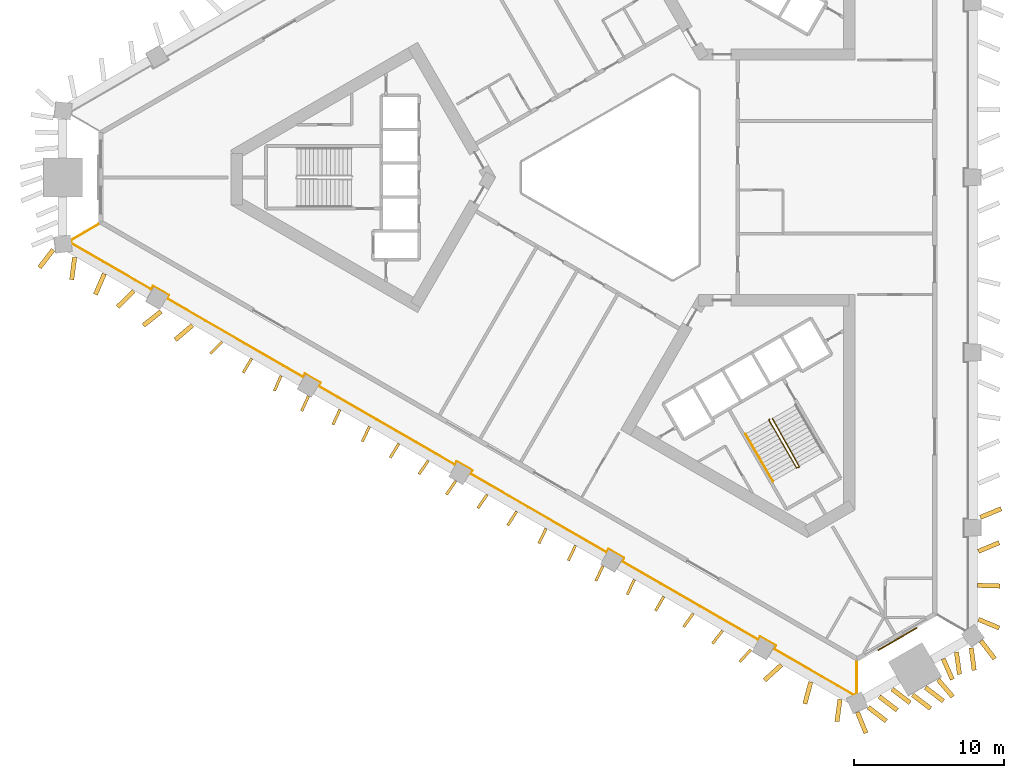
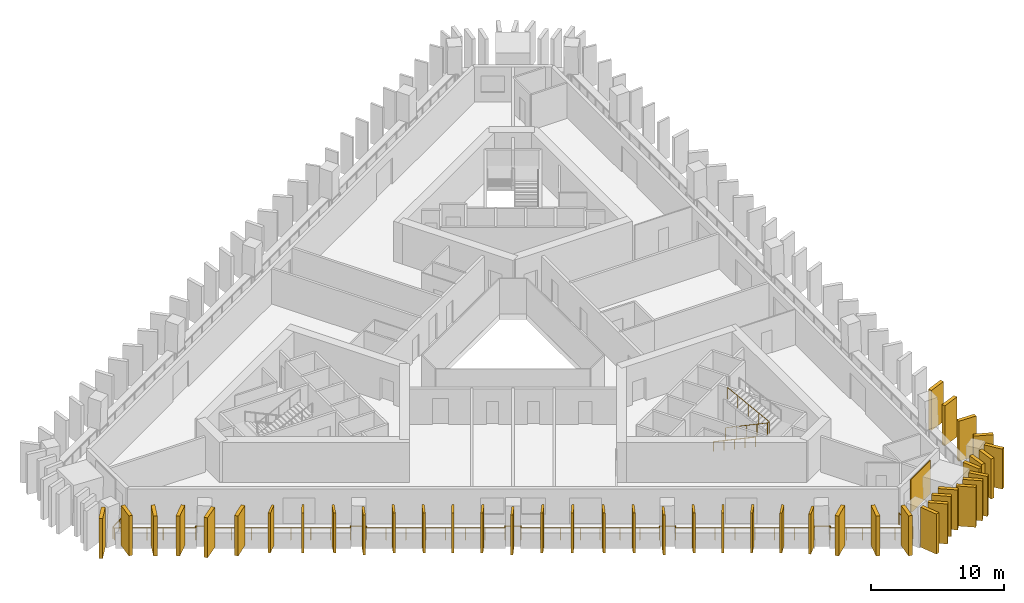
# One storey, part 7 of 9: 43 shading devices, 3 railings, 1 covering.
"""IFC4 building model written with IfcOpenShell, lengths in metres."""

import ifcopenshell
import ifcopenshell.guid

model = None  # the IFC model being written
_history = None  # IfcOwnerHistory: only IFC2X3 demands one
_inside = {}  # id of a spatial element -> (the spatial element, [elements in it])
_under = {}  # id of a project, library or spatial element -> (it, [spatial elements below it])
_declared = {}  # id of a project -> (the project, [libraries it declares])
_typed = {}  # id of a type object -> (the type object, [elements of that type])
_made_of = {}  # id of a material, layer set ... -> (it, [elements and type objects made of it])


def new_model(schema):
    """Start an empty IFC model of exactly this schema.

    Asked for "IFC4X3", IfcOpenShell would pick the latest addendum, in which some entities
    have other attributes; the version numbers below select the first issue.
    IFC2X3 requires an IfcOwnerHistory on every rooted entity: one is made here for all.
    """
    global model, _history
    if schema == "IFC4X3":
        model = ifcopenshell.file(schema_version=(4, 3, 0, 0))
    else:
        model = ifcopenshell.file(schema=schema)
    _inside.clear()
    _under.clear()
    _declared.clear()
    _typed.clear()
    _made_of.clear()
    _history = None
    if model.schema == "IFC2X3":
        org = make("IfcOrganization", Name="unknown")
        user = make(
            "IfcPersonAndOrganization",
            ThePerson=make("IfcPerson", FamilyName="unknown"),
            TheOrganization=org,
        )
        app = make(
            "IfcApplication",
            ApplicationDeveloper=org,
            Version="unknown",
            ApplicationFullName="unknown",
            ApplicationIdentifier="unknown",
        )
        _history = make(
            "IfcOwnerHistory",
            OwningUser=user,
            OwningApplication=app,
            ChangeAction="ADDED",
            CreationDate=0,
        )
    return model


def make(cls, **values):
    """One entity of the class cls with the attributes given. An attribute that is None is left unset."""
    return model.create_entity(
        cls, **{name: value for name, value in values.items() if value is not None}
    )


def rooted(cls, **values):
    """An entity with a GlobalId (a new one), such as an element, a storey or a relation."""
    return make(cls, GlobalId=ifcopenshell.guid.new(), OwnerHistory=_history, **values)


def si_unit(unit_type, name, prefix=None):
    """IfcSIUnit, for example si_unit("LENGTHUNIT", "METRE", prefix="MILLI")."""
    return make("IfcSIUnit", UnitType=unit_type, Prefix=prefix, Name=name)


def assignment(units):
    """IfcUnitAssignment: the units of a project."""
    return None if units is None else make("IfcUnitAssignment", Units=units)


def point(xyz):
    """IfcCartesianPoint."""
    return None if xyz is None else make("IfcCartesianPoint", Coordinates=xyz)


def direction(xyz):
    """IfcDirection."""
    return None if xyz is None else make("IfcDirection", DirectionRatios=xyz)


def frame(location, z_axis=None, x_axis=None):
    """IfcAxis2Placement3D, a coordinate frame: its origin and axes. An axis left out is left unset."""
    return make(
        "IfcAxis2Placement3D",
        Location=point(location),
        Axis=direction(z_axis),
        RefDirection=direction(x_axis),
    )


def frame_2d(location, x_axis=None):
    """IfcAxis2Placement2D, a coordinate frame in the plane: its origin and x axis."""
    return make(
        "IfcAxis2Placement2D", Location=point(location), RefDirection=direction(x_axis)
    )


def origin():
    """The frame at (0, 0, 0) with its axes left unset."""
    return frame((0.0, 0.0, 0.0))


def origin_2d():
    """The frame at (0, 0) in the plane with its x axis left unset."""
    return frame_2d((0.0, 0.0))


def place(relative_to, where):
    """IfcLocalPlacement: puts the frame where relative to a parent placement (None: the world)."""
    return make(
        "IfcLocalPlacement", PlacementRelTo=relative_to, RelativePlacement=where
    )


def context(
    kind, dimensions, precision=None, world=None, true_north=None, identifier=None
):
    """IfcGeometricRepresentationContext, for example the 3D "Model" context."""
    return make(
        "IfcGeometricRepresentationContext",
        ContextIdentifier=identifier,
        ContextType=kind,
        CoordinateSpaceDimension=dimensions,
        Precision=precision,
        WorldCoordinateSystem=world,
        TrueNorth=true_north,
    )


def subcontext(parent, identifier, kind, view, scale=None):
    """IfcGeometricRepresentationSubContext, for example "Body" below "Model"."""
    return make(
        "IfcGeometricRepresentationSubContext",
        ContextIdentifier=identifier,
        ContextType=kind,
        ParentContext=parent,
        TargetScale=scale,
        TargetView=view,
    )


def project(units=None, contexts=None):
    """IfcProject with its units and contexts."""
    return rooted(
        "IfcProject",
        Name="project",
        RepresentationContexts=contexts,
        UnitsInContext=assignment(units),
    )


def spatial(cls, under=None, at=None, **own):
    """A site, building, storey or space (cls), placed at a placement, below another one or the project."""
    s = rooted(cls, ObjectPlacement=at, **own)
    if under is not None:
        _under.setdefault(under.id(), (under, []))[1].append(s)
    return s


def profile(cls, at=None, kind="AREA", **sizes):
    """A parametric profile (cls). Its sizes go by their IFC names, for example OverallWidth=200.0."""
    return make(cls, ProfileType=kind, Position=at, **sizes)


def rectangle(**sizes):
    """IfcRectangleProfileDef."""
    return profile("IfcRectangleProfileDef", **sizes)


def circle(**sizes):
    """IfcCircleProfileDef."""
    return profile("IfcCircleProfileDef", **sizes)


def extrude(swept, where, along, depth):
    """IfcExtrudedAreaSolid: the profile swept, set in the frame where, extruded along a direction by depth."""
    return make(
        "IfcExtrudedAreaSolid",
        SweptArea=swept,
        Position=where,
        ExtrudedDirection=direction(along),
        Depth=depth,
    )


def shape(context_of_items, identifier, shape_type, items):
    """IfcShapeRepresentation: the items that make up one representation, for example the "Body"."""
    return make(
        "IfcShapeRepresentation",
        ContextOfItems=context_of_items,
        RepresentationIdentifier=identifier,
        RepresentationType=shape_type,
        Items=items,
    )


def material(Name=None, Category=None):
    """IfcMaterial."""
    return make("IfcMaterial", Name=Name, Category=Category)


def layer(
    of_material, thickness, ventilated=None, Name=None, Category=None, Priority=None
):
    """IfcMaterialLayer: one layer of a wall or slab, of a material (None: an air gap)."""
    return make(
        "IfcMaterialLayer",
        Material=of_material,
        LayerThickness=thickness,
        IsVentilated=ventilated,
        Name=Name,
        Category=Category,
        Priority=Priority,
    )


def layer_set(layers, Name=None):
    """IfcMaterialLayerSet."""
    return make("IfcMaterialLayerSet", MaterialLayers=layers, LayerSetName=Name)


def made_of(thing, what):
    """Note that an element or type object is made of a material, layer set ...; save() writes the relation."""
    if what is not None:
        _made_of.setdefault(what.id(), (what, []))[1].append(thing)
    return thing


def type_object(cls, material=None, **own):
    """A type object (cls), such as IfcWallType, which elements share."""
    return made_of(rooted(cls, **own), material)


def element(
    cls,
    number,
    at=None,
    inside=None,
    cuts=None,
    type_object=None,
    material=None,
    context=None,
    identifier="Body",
    shape_type=None,
    held_by="IfcProductDefinitionShape",
    body=None,
    shapes=None,
    **own,
):
    """One element of the class cls, such as IfcWall. Its Tag is "e" and its number.

    at: its placement. inside: the storey or other place that contains it. cuts: it is an
    opening in that element (IfcRelVoidsElement). A single representation is given by context,
    identifier, shape_type and body (its items); several are given by shapes. held_by: the class
    of the entity that holds the representations. save() writes the other relations.
    """
    e = rooted(cls, Tag="e%d" % number, ObjectPlacement=at, **own)
    if body is not None:
        shapes = [shape(context, identifier, shape_type, body)]
    if shapes is not None:
        e.Representation = make(held_by, Representations=shapes)
    if inside is not None:
        _inside.setdefault(inside.id(), (inside, []))[1].append(e)
    if cuts is not None:
        rooted(
            "IfcRelVoidsElement", RelatingBuildingElement=cuts, RelatedOpeningElement=e
        )
    if type_object is not None:
        _typed.setdefault(type_object.id(), (type_object, []))[1].append(e)
    return made_of(e, material)


def aggregate(whole, parts):
    """IfcRelAggregates: a whole, such as a stair, and the parts it consists of."""
    return rooted("IfcRelAggregates", RelatingObject=whole, RelatedObjects=parts)


def save(model, path):
    """Write the relations noted so far, then the file.

    IfcRelAggregates (storeys below a building ...), IfcRelContainedInSpatialStructure (elements
    in a storey), IfcRelDefinesByType, IfcRelAssociatesMaterial and IfcRelDeclares: one each for
    every whole, place, type object, material and project.
    """
    for whole, parts in _under.values():
        aggregate(whole, parts)
    for where, things in _inside.values():
        rooted(
            "IfcRelContainedInSpatialStructure",
            RelatedElements=things,
            RelatingStructure=where,
        )
    for kind, things in _typed.values():
        rooted("IfcRelDefinesByType", RelatedObjects=things, RelatingType=kind)
    for what, things in _made_of.values():
        rooted("IfcRelAssociatesMaterial", RelatedObjects=things, RelatingMaterial=what)
    for by, libraries in _declared.values():
        rooted("IfcRelDeclares", RelatingContext=by, RelatedDefinitions=libraries)
    model.write(path)


model = new_model("IFC4")

# Units and contexts
model_context = context("Model", 3, precision=1e-05, world=origin(), true_north=direction((0.0, 1.0)))
body_context = subcontext(model_context, "Body", "Model", "MODEL_VIEW")
ifc_project = project(units=[si_unit("LENGTHUNIT", "METRE"), si_unit("AREAUNIT", "SQUARE_METRE"), si_unit("VOLUMEUNIT", "CUBIC_METRE"), si_unit("PLANEANGLEUNIT", "RADIAN"), si_unit("MASSUNIT", "GRAM", prefix="KILO")], contexts=[model_context])

# Site, building, storey
site_placement = place(None, origin())
site = spatial("IfcSite", under=ifc_project, at=site_placement, CompositionType="ELEMENT")
building_placement = place(site_placement, origin())
building = spatial("IfcBuilding", under=site, at=building_placement, Name="Jabali Bay Hotel Tower and Convention Centre", CompositionType="ELEMENT")
storey_placement = place(building_placement, frame((0.0, 0.0, 94.300048828125)))
storey = spatial("IfcBuildingStorey", under=building, at=storey_placement, Name="L22", CompositionType="ELEMENT", Elevation=94.300048828125)

# Railing
ifc_material_1 = material(Name="Glass", Category="glass")
railing_type_1 = type_object("IfcRailingType", Name="Loggia glass guard 1100", PredefinedType="BALUSTRADE", material=ifc_material_1)
railing_1_placement = place(storey_placement, frame((90.00390625, 47.779541015625, 0.0)))
element("IfcRailing", 1, at=railing_1_placement, inside=storey, type_object=railing_type_1, Name="Loggia glass guard L22", PredefinedType="BALUSTRADE", context=body_context, shape_type="SweptSolid", body=[
    extrude(circle(Radius=0.02490234375, at=origin_2d()), frame((0.0, 0.0, 1.0751953125), z_axis=(0.0, -1.0, 0.0), x_axis=(0.991444861374, 0.0, 0.13052619222)), (0.0, 0.0, 1.0), 2.11083984375),
    extrude(circle(Radius=0.02490234375, at=origin_2d()), frame((0.0, -2.11083984375, 1.0751953125), z_axis=(-0.918673318712, -0.395018143238, 0.0), x_axis=(0.391638708263, -0.910813941118, 0.13052619222)), (0.0, 0.0, 1.0), 0.21435546875),
    extrude(circle(Radius=0.02490234375, at=origin_2d()), frame((-0.197021484375, -2.195556640625, 1.0751953125), z_axis=(-0.86604082541, 0.49997328801, 0.0), x_axis=(-0.495695947221, -0.858631726093, 0.13052619222)), (0.0, 0.0, 1.0), 6.122314453125),
    extrude(circle(Radius=0.02490234375, at=origin_2d()), frame((-5.499267578125, 0.865478515625, 1.0751953125), z_axis=(0.499919672301, 0.866071776036, 0.0), x_axis=(-0.858662411932, 0.495642790202, 0.13052619222)), (0.0, 0.0, 1.0), 0.25),
    extrude(circle(Radius=0.02490234375, at=origin_2d()), frame((-5.374267578125, 1.08203125, 1.0751953125), z_axis=(-0.866006032174, 0.500033551112, 0.0), x_axis=(-0.495755694765, -0.858597230518, 0.13052619222)), (0.0, 0.0, 1.0), 1.2001953125),
    extrude(circle(Radius=0.02490234375, at=origin_2d()), frame((-6.41357421875, 1.68212890625, 1.0751953125), z_axis=(-0.499919672301, -0.866071776036, 0.0), x_axis=(0.858662411932, -0.495642790202, 0.13052619222)), (0.0, 0.0, 1.0), 0.25),
    extrude(circle(Radius=0.02490234375, at=origin_2d()), frame((-6.53857421875, 1.465576171875, 1.0751953125), z_axis=(-0.866030028907, 0.499991988968, 0.0), x_axis=(-0.49571448819, -0.858621021955, 0.13052619222)), (0.0, 0.0, 1.0), 10.454345703125),
    extrude(circle(Radius=0.02490234375, at=origin_2d()), frame((-15.59228515625, 6.692626953125, 1.0751953125), z_axis=(0.499919672301, 0.866071776036, 0.0), x_axis=(-0.858662411932, 0.495642790202, 0.13052619222)), (0.0, 0.0, 1.0), 0.25),
    extrude(circle(Radius=0.02490234375, at=origin_2d()), frame((-15.46728515625, 6.9091796875, 1.0751953125), z_axis=(-0.866006032174, 0.500033551112, 0.0), x_axis=(-0.495755694765, -0.858597230518, 0.13052619222)), (0.0, 0.0, 1.0), 1.2001953125),
    extrude(circle(Radius=0.02490234375, at=origin_2d()), frame((-16.506591796875, 7.50927734375, 1.0751953125), z_axis=(-0.499919672301, -0.866071776036, 0.0), x_axis=(0.858662411932, -0.495642790202, 0.13052619222)), (0.0, 0.0, 1.0), 0.25),
    extrude(circle(Radius=0.02490234375, at=origin_2d()), frame((-16.631591796875, 7.292724609375, 1.0751953125), z_axis=(-0.866030028907, 0.499991988968, 0.0), x_axis=(-0.49571448819, -0.858621021955, 0.13052619222)), (0.0, 0.0, 1.0), 10.454345703125),
    extrude(circle(Radius=0.02490234375, at=origin_2d()), frame((-25.685302734375, 12.519775390625, 1.0751953125), z_axis=(0.499919672301, 0.866071776036, 0.0), x_axis=(-0.858662411932, 0.495642790202, 0.13052619222)), (0.0, 0.0, 1.0), 0.25),
    extrude(circle(Radius=0.02490234375, at=origin_2d()), frame((-25.560302734375, 12.736328125, 1.0751953125), z_axis=(-0.865955154139, 0.50012165622, 0.0), x_axis=(-0.495843046121, -0.858546787751, 0.13052619222)), (0.0, 0.0, 1.0), 1.199951171875),
    extrude(circle(Radius=0.02490234375, at=origin_2d()), frame((-26.599365234375, 13.33642578125, 1.0751953125), z_axis=(-0.499919672301, -0.866071776036, 0.0), x_axis=(0.858662411932, -0.495642790202, 0.13052619222)), (0.0, 0.0, 1.0), 0.25),
    extrude(circle(Radius=0.02490234375, at=origin_2d()), frame((-26.724365234375, 13.119873046875, 1.0751953125), z_axis=(-0.866019916724, 0.500009503747, 0.0), x_axis=(-0.495731853129, -0.858610996283, 0.13052619222)), (0.0, 0.0, 1.0), 10.454345703125),
    extrude(circle(Radius=0.02490234375, at=origin_2d()), frame((-35.778076171875, 18.34716796875, 1.0751953125), z_axis=(0.500342721131, 0.865827443207, 0.0), x_axis=(-0.858420169404, 0.496062219791, 0.13052619222)), (0.0, 0.0, 1.0), 0.249755859375),
    extrude(circle(Radius=0.02490234375, at=origin_2d()), frame((-35.653076171875, 18.5634765625, 1.0751953125), z_axis=(-0.866006032174, 0.500033551112, 0.0), x_axis=(-0.495755694765, -0.858597230518, 0.13052619222)), (0.0, 0.0, 1.0), 1.2001953125),
    extrude(circle(Radius=0.02490234375, at=origin_2d()), frame((-36.6923828125, 19.16357421875, 1.0751953125), z_axis=(-0.499919672301, -0.866071776036, 0.0), x_axis=(0.858662411932, -0.495642790202, 0.13052619222)), (0.0, 0.0, 1.0), 0.25),
    extrude(circle(Radius=0.02490234375, at=origin_2d()), frame((-36.8173828125, 18.947021484375, 1.0751953125), z_axis=(-0.866019916724, 0.500009503747, 0.0), x_axis=(-0.495731853129, -0.858610996283, 0.13052619222)), (0.0, 0.0, 1.0), 10.454345703125),
    extrude(circle(Radius=0.02490234375, at=origin_2d()), frame((-45.87109375, 24.17431640625, 1.0751953125), z_axis=(0.500342721131, 0.865827443207, 0.0), x_axis=(-0.858420169404, 0.496062219791, 0.13052619222)), (0.0, 0.0, 1.0), 0.249755859375),
    extrude(circle(Radius=0.02490234375, at=origin_2d()), frame((-45.74609375, 24.390625, 1.0751953125), z_axis=(-0.866006032174, 0.500033551112, 0.0), x_axis=(-0.495755694765, -0.858597230518, 0.13052619222)), (0.0, 0.0, 1.0), 1.2001953125),
    extrude(circle(Radius=0.02490234375, at=origin_2d()), frame((-46.785400390625, 24.99072265625, 1.0751953125), z_axis=(-0.499919672301, -0.866071776036, 0.0), x_axis=(0.858662411932, -0.495642790202, 0.13052619222)), (0.0, 0.0, 1.0), 0.25),
    extrude(circle(Radius=0.02490234375, at=origin_2d()), frame((-46.910400390625, 24.774169921875, 1.0751953125), z_axis=(-0.866013589157, 0.500020462976, 0.0), x_axis=(-0.495742718599, -0.85860472285, 0.13052619222)), (0.0, 0.0, 1.0), 6.122314453125),
    extrude(circle(Radius=0.02490234375, at=origin_2d()), frame((-52.21240234375, 27.83544921875, 1.0751953125), z_axis=(-0.117171257249, 0.993111724065, 0.0), x_axis=(-0.984615515594, -0.116168840901, 0.13052619222)), (0.0, 0.0, 1.0), 0.214599609375),
    extrude(circle(Radius=0.02490234375, at=origin_2d()), frame((-52.237548828125, 28.048583984375, 1.0751953125), z_axis=(0.866006443985, 0.500032837899, 0.0), x_axis=(-0.495754987653, 0.858597638805, 0.13052619222)), (0.0, 0.0, 1.0), 2.110595703125),
    extrude(circle(Radius=0.02001953125, at=origin_2d()), origin(), (0.0, 0.0, 1.0), 1.050048828125),
    extrude(circle(Radius=0.02001953125, at=origin_2d()), frame((0.0, -1.055419921875, 0.0)), (0.0, 0.0, 1.0), 1.050048828125),
    extrude(circle(Radius=0.02001953125, at=origin_2d()), frame((0.0, -2.11083984375, 0.0)), (0.0, 0.0, 1.0), 1.050048828125),
    extrude(circle(Radius=0.02001953125, at=origin_2d()), frame((-0.197021484375, -2.195556640625, 0.0)), (0.0, 0.0, 1.0), 1.050048828125),
    extrude(circle(Radius=0.02001953125, at=origin_2d()), frame((-1.257568359375, -1.583251953125, 0.0)), (0.0, 0.0, 1.0), 1.050048828125),
    extrude(circle(Radius=0.02001953125, at=origin_2d()), frame((-2.31787109375, -0.97119140625, 0.0)), (0.0, 0.0, 1.0), 1.050048828125),
    extrude(circle(Radius=0.02001953125, at=origin_2d()), frame((-3.37841796875, -0.35888671875, 0.0)), (0.0, 0.0, 1.0), 1.050048828125),
    extrude(circle(Radius=0.02001953125, at=origin_2d()), frame((-4.438720703125, 0.253173828125, 0.0)), (0.0, 0.0, 1.0), 1.050048828125),
    extrude(circle(Radius=0.02001953125, at=origin_2d()), frame((-5.499267578125, 0.865478515625, 0.0)), (0.0, 0.0, 1.0), 1.050048828125),
    extrude(circle(Radius=0.02001953125, at=origin_2d()), frame((-5.374267578125, 1.08203125, 0.0)), (0.0, 0.0, 1.0), 1.050048828125),
    extrude(circle(Radius=0.02001953125, at=origin_2d()), frame((-6.41357421875, 1.68212890625, 0.0)), (0.0, 0.0, 1.0), 1.050048828125),
    extrude(circle(Radius=0.02001953125, at=origin_2d()), frame((-6.53857421875, 1.465576171875, 0.0)), (0.0, 0.0, 1.0), 1.050048828125),
    extrude(circle(Radius=0.02001953125, at=origin_2d()), frame((-7.83203125, 2.21240234375, 0.0)), (0.0, 0.0, 1.0), 1.050048828125),
    extrude(circle(Radius=0.02001953125, at=origin_2d()), frame((-9.125244140625, 2.958984375, 0.0)), (0.0, 0.0, 1.0), 1.050048828125),
    extrude(circle(Radius=0.02001953125, at=origin_2d()), frame((-10.418701171875, 3.705810546875, 0.0)), (0.0, 0.0, 1.0), 1.050048828125),
    extrude(circle(Radius=0.02001953125, at=origin_2d()), frame((-11.712158203125, 4.452392578125, 0.0)), (0.0, 0.0, 1.0), 1.050048828125),
    extrude(circle(Radius=0.02001953125, at=origin_2d()), frame((-13.005615234375, 5.19921875, 0.0)), (0.0, 0.0, 1.0), 1.050048828125),
    extrude(circle(Radius=0.02001953125, at=origin_2d()), frame((-14.298828125, 5.94580078125, 0.0)), (0.0, 0.0, 1.0), 1.050048828125),
    extrude(circle(Radius=0.02001953125, at=origin_2d()), frame((-15.59228515625, 6.692626953125, 0.0)), (0.0, 0.0, 1.0), 1.050048828125),
    extrude(circle(Radius=0.02001953125, at=origin_2d()), frame((-15.46728515625, 6.9091796875, 0.0)), (0.0, 0.0, 1.0), 1.050048828125),
    extrude(circle(Radius=0.02001953125, at=origin_2d()), frame((-16.506591796875, 7.50927734375, 0.0)), (0.0, 0.0, 1.0), 1.050048828125),
    extrude(circle(Radius=0.02001953125, at=origin_2d()), frame((-16.631591796875, 7.292724609375, 0.0)), (0.0, 0.0, 1.0), 1.050048828125),
    extrude(circle(Radius=0.02001953125, at=origin_2d()), frame((-17.925048828125, 8.03955078125, 0.0)), (0.0, 0.0, 1.0), 1.050048828125),
    extrude(circle(Radius=0.02001953125, at=origin_2d()), frame((-19.21826171875, 8.7861328125, 0.0)), (0.0, 0.0, 1.0), 1.050048828125),
    extrude(circle(Radius=0.02001953125, at=origin_2d()), frame((-20.51171875, 9.532958984375, 0.0)), (0.0, 0.0, 1.0), 1.050048828125),
    extrude(circle(Radius=0.02001953125, at=origin_2d()), frame((-21.80517578125, 10.279541015625, 0.0)), (0.0, 0.0, 1.0), 1.050048828125),
    extrude(circle(Radius=0.02001953125, at=origin_2d()), frame((-23.0986328125, 11.0263671875, 0.0)), (0.0, 0.0, 1.0), 1.050048828125),
    extrude(circle(Radius=0.02001953125, at=origin_2d()), frame((-24.391845703125, 11.77294921875, 0.0)), (0.0, 0.0, 1.0), 1.050048828125),
    extrude(circle(Radius=0.02001953125, at=origin_2d()), frame((-25.685302734375, 12.519775390625, 0.0)), (0.0, 0.0, 1.0), 1.050048828125),
    extrude(circle(Radius=0.02001953125, at=origin_2d()), frame((-25.560302734375, 12.736328125, 0.0)), (0.0, 0.0, 1.0), 1.050048828125),
    extrude(circle(Radius=0.02001953125, at=origin_2d()), frame((-26.599365234375, 13.33642578125, 0.0)), (0.0, 0.0, 1.0), 1.050048828125),
    extrude(circle(Radius=0.02001953125, at=origin_2d()), frame((-26.724365234375, 13.119873046875, 0.0)), (0.0, 0.0, 1.0), 1.050048828125),
    extrude(circle(Radius=0.02001953125, at=origin_2d()), frame((-28.017822265625, 13.86669921875, 0.0)), (0.0, 0.0, 1.0), 1.050048828125),
    extrude(circle(Radius=0.02001953125, at=origin_2d()), frame((-29.31103515625, 14.61328125, 0.0)), (0.0, 0.0, 1.0), 1.050048828125),
    extrude(circle(Radius=0.02001953125, at=origin_2d()), frame((-30.6044921875, 15.360107421875, 0.0)), (0.0, 0.0, 1.0), 1.050048828125),
    extrude(circle(Radius=0.02001953125, at=origin_2d()), frame((-31.89794921875, 16.10693359375, 0.0)), (0.0, 0.0, 1.0), 1.050048828125),
    extrude(circle(Radius=0.02001953125, at=origin_2d()), frame((-33.19140625, 16.853759765625, 0.0)), (0.0, 0.0, 1.0), 1.050048828125),
    extrude(circle(Radius=0.02001953125, at=origin_2d()), frame((-34.484619140625, 17.600341796875, 0.0)), (0.0, 0.0, 1.0), 1.050048828125),
    extrude(circle(Radius=0.02001953125, at=origin_2d()), frame((-35.778076171875, 18.34716796875, 0.0)), (0.0, 0.0, 1.0), 1.050048828125),
    extrude(circle(Radius=0.02001953125, at=origin_2d()), frame((-35.653076171875, 18.5634765625, 0.0)), (0.0, 0.0, 1.0), 1.050048828125),
    extrude(circle(Radius=0.02001953125, at=origin_2d()), frame((-36.6923828125, 19.16357421875, 0.0)), (0.0, 0.0, 1.0), 1.050048828125),
    extrude(circle(Radius=0.02001953125, at=origin_2d()), frame((-36.8173828125, 18.947021484375, 0.0)), (0.0, 0.0, 1.0), 1.050048828125),
    extrude(circle(Radius=0.02001953125, at=origin_2d()), frame((-38.11083984375, 19.69384765625, 0.0)), (0.0, 0.0, 1.0), 1.050048828125),
    extrude(circle(Radius=0.02001953125, at=origin_2d()), frame((-39.404052734375, 20.4404296875, 0.0)), (0.0, 0.0, 1.0), 1.050048828125),
    extrude(circle(Radius=0.02001953125, at=origin_2d()), frame((-40.697509765625, 21.187255859375, 0.0)), (0.0, 0.0, 1.0), 1.050048828125),
    extrude(circle(Radius=0.02001953125, at=origin_2d()), frame((-41.990966796875, 21.93408203125, 0.0)), (0.0, 0.0, 1.0), 1.050048828125),
    extrude(circle(Radius=0.02001953125, at=origin_2d()), frame((-43.284423828125, 22.680908203125, 0.0)), (0.0, 0.0, 1.0), 1.050048828125),
    extrude(circle(Radius=0.02001953125, at=origin_2d()), frame((-44.57763671875, 23.427490234375, 0.0)), (0.0, 0.0, 1.0), 1.050048828125),
    extrude(circle(Radius=0.02001953125, at=origin_2d()), frame((-45.87109375, 24.17431640625, 0.0)), (0.0, 0.0, 1.0), 1.050048828125),
    extrude(circle(Radius=0.02001953125, at=origin_2d()), frame((-45.74609375, 24.390625, 0.0)), (0.0, 0.0, 1.0), 1.050048828125),
    extrude(circle(Radius=0.02001953125, at=origin_2d()), frame((-46.785400390625, 24.99072265625, 0.0)), (0.0, 0.0, 1.0), 1.050048828125),
    extrude(circle(Radius=0.02001953125, at=origin_2d()), frame((-46.910400390625, 24.774169921875, 0.0)), (0.0, 0.0, 1.0), 1.050048828125),
    extrude(circle(Radius=0.02001953125, at=origin_2d()), frame((-47.970703125, 25.386474609375, 0.0)), (0.0, 0.0, 1.0), 1.050048828125),
    extrude(circle(Radius=0.02001953125, at=origin_2d()), frame((-49.03125, 25.998779296875, 0.0)), (0.0, 0.0, 1.0), 1.050048828125),
    extrude(circle(Radius=0.02001953125, at=origin_2d()), frame((-50.091552734375, 26.61083984375, 0.0)), (0.0, 0.0, 1.0), 1.050048828125),
    extrude(circle(Radius=0.02001953125, at=origin_2d()), frame((-51.152099609375, 27.22314453125, 0.0)), (0.0, 0.0, 1.0), 1.050048828125),
    extrude(circle(Radius=0.02001953125, at=origin_2d()), frame((-52.21240234375, 27.83544921875, 0.0)), (0.0, 0.0, 1.0), 1.050048828125),
    extrude(circle(Radius=0.02001953125, at=origin_2d()), frame((-52.237548828125, 28.048583984375, 0.0)), (0.0, 0.0, 1.0), 1.050048828125),
    extrude(circle(Radius=0.02001953125, at=origin_2d()), frame((-51.32373046875, 28.576171875, 0.0)), (0.0, 0.0, 1.0), 1.050048828125),
    extrude(circle(Radius=0.02001953125, at=origin_2d()), frame((-50.40966796875, 29.10400390625, 0.0)), (0.0, 0.0, 1.0), 1.050048828125),
])

# Shading devices
ifc_material_2 = material(Name="Precast concrete C60", Category="concrete")
ifc_layer_1 = layer(ifc_material_2, 0.179931640625)
ifc_layer_set_1 = layer_set([ifc_layer_1], Name="Precast concrete C60")
shading_device_type_1 = type_object("IfcShadingDeviceType", Name="Precast fin 3680 x 1100", PredefinedType="USERDEFINED", material=ifc_layer_set_1)
shading_device_1_placement = place(storey_placement, frame((47.80419921875, 69.065673828125, 0.010009765625), z_axis=(0.0, 0.0, 1.0), x_axis=(-0.705885240989, -0.708326214787, 0.0)))
element("IfcShadingDevice", 2, at=shading_device_1_placement, inside=storey, type_object=shading_device_type_1, Name="Fin L22 077", ObjectType="FIN", PredefinedType="USERDEFINED", context=body_context, shape_type="SweptSolid", body=[
    extrude(rectangle(XDim=1.10009765625, YDim=0.179931640625, at=frame_2d((0.550048828125, 0.0))), origin(), (0.0, 0.0, 1.0), 3.679931640625),
])
for number, where, z_axis, x_axis, name in (
    (3, (49.772705078125, 67.953857421875, 0.010009765625), (0.0, 0.0, 1.0), (-0.514528397825, -0.857473339429, 0.0), "Fin L22 078"),
    (4, (51.726318359375, 66.816162109375, 0.010009765625), (0.0, 0.0, 1.0), (-0.399537593186, -0.916716811033, 0.0), "Fin L22 079"),
):
    element("IfcShadingDevice", number, at=place(storey_placement, frame(where, z_axis=z_axis, x_axis=x_axis)), inside=storey, type_object=shading_device_type_1, Name=name, ObjectType="FIN", PredefinedType="USERDEFINED", context=body_context, shape_type="SweptSolid", body=[
        extrude(rectangle(XDim=1.099853515625, YDim=0.179931640625, at=frame_2d((0.5498046875, 0.0))), origin(), (0.0, 0.0, 1.0), 3.679931640625),
    ])
for number, where, z_axis, x_axis, name in (
    (5, (53.55615234375, 65.464599609375, 0.010009765625), (0.0, 0.0, 1.0), (-0.41876262307, -0.908095735878, 0.0), "Fin L22 080"),
    (6, (55.64306640625, 64.557861328125, 0.010009765625), (0.0, 0.0, 1.0), (-0.425690147756, -0.904868994995, 0.0), "Fin L22 081"),
    (7, (57.600830078125, 63.427734375, 0.010009765625), (0.0, 0.0, 1.0), (-0.428114965258, -0.903724281251, 0.0), "Fin L22 082"),
):
    element("IfcShadingDevice", number, at=place(storey_placement, frame(where, z_axis=z_axis, x_axis=x_axis)), inside=storey, type_object=shading_device_type_1, Name=name, ObjectType="FIN", PredefinedType="USERDEFINED", context=body_context, shape_type="SweptSolid", body=[
        extrude(rectangle(XDim=1.10009765625, YDim=0.179931640625, at=frame_2d((0.550048828125, 0.0))), origin(), (0.0, 0.0, 1.0), 3.679931640625),
    ])
for number, where, z_axis, x_axis, name in (
    (8, (59.56103515625, 62.301513671875, 0.010009765625), (0.0, 0.0, 1.0), (-0.523378969001, -0.852100026292, 0.0), "Fin L22 083"),
    (9, (61.5166015625, 61.167236328125, 0.010009765625), (0.0, 0.0, 1.0), (-0.56733868641, -0.823484556566, 0.0), "Fin L22 084"),
):
    element("IfcShadingDevice", number, at=place(storey_placement, frame(where, z_axis=z_axis, x_axis=x_axis)), inside=storey, type_object=shading_device_type_1, Name=name, ObjectType="FIN", PredefinedType="USERDEFINED", context=body_context, shape_type="SweptSolid", body=[
        extrude(rectangle(XDim=1.099853515625, YDim=0.179931640625, at=frame_2d((0.5498046875, 0.0))), origin(), (0.0, 0.0, 1.0), 3.679931640625),
    ])
for number, where, z_axis, x_axis, name in (
    (10, (63.345458984375, 59.81396484375, 0.010009765625), (0.0, 0.0, 1.0), (-0.567084454292, -0.823659651616, 0.0), "Fin L22 085"),
    (11, (65.43212890625, 58.906494140625, 0.010009765625), (0.0, 0.0, 1.0), (-0.567084454292, -0.823659651616, 0.0), "Fin L22 086"),
):
    element("IfcShadingDevice", number, at=place(storey_placement, frame(where, z_axis=z_axis, x_axis=x_axis)), inside=storey, type_object=shading_device_type_1, Name=name, ObjectType="FIN", PredefinedType="USERDEFINED", context=body_context, shape_type="SweptSolid", body=[
        extrude(rectangle(XDim=1.10009765625, YDim=0.179931640625, at=frame_2d((0.550048828125, 0.0))), origin(), (0.0, 0.0, 1.0), 3.679931640625),
    ])
for number, where, z_axis, x_axis, name in (
    (12, (67.39111328125, 57.778564453125, 0.010009765625), (0.0, 0.0, 1.0), (-0.541206298387, -0.840889851637, 0.0), "Fin L22 087"),
    (13, (69.34765625, 56.646240234375, 0.010009765625), (0.0, 0.0, 1.0), (-0.43304132225, -0.901374069532, 0.0), "Fin L22 088"),
):
    element("IfcShadingDevice", number, at=place(storey_placement, frame(where, z_axis=z_axis, x_axis=x_axis)), inside=storey, type_object=shading_device_type_1, Name=name, ObjectType="FIN", PredefinedType="USERDEFINED", context=body_context, shape_type="SweptSolid", body=[
        extrude(rectangle(XDim=1.099853515625, YDim=0.179931640625, at=frame_2d((0.5498046875, 0.0))), origin(), (0.0, 0.0, 1.0), 3.679931640625),
    ])
shading_device_2_placement = place(storey_placement, frame((71.305419921875, 55.515625, 0.010009765625), z_axis=(0.0, 0.0, 1.0), x_axis=(-0.429459687257, -0.90308602969, 0.0)))
element("IfcShadingDevice", 14, at=shading_device_2_placement, inside=storey, type_object=shading_device_type_1, Name="Fin L22 089", ObjectType="FIN", PredefinedType="USERDEFINED", context=body_context, shape_type="SweptSolid", body=[
    extrude(rectangle(XDim=1.10009765625, YDim=0.179931640625, at=frame_2d((0.550048828125, 0.0))), origin(), (0.0, 0.0, 1.0), 3.679931640625),
])
for number, where, z_axis, x_axis, name in (
    (15, (73.13427734375, 54.162109375, 0.010009765625), (0.0, 0.0, 1.0), (-0.428649254864, -0.903470982547, 0.0), "Fin L22 090"),
    (16, (75.220703125, 53.254638671875, 0.010009765625), (0.0, 0.0, 1.0), (-0.426855049349, -0.904320057748, 0.0), "Fin L22 091"),
):
    element("IfcShadingDevice", number, at=place(storey_placement, frame(where, z_axis=z_axis, x_axis=x_axis)), inside=storey, type_object=shading_device_type_1, Name=name, ObjectType="FIN", PredefinedType="USERDEFINED", context=body_context, shape_type="SweptSolid", body=[
        extrude(rectangle(XDim=1.099853515625, YDim=0.179931640625, at=frame_2d((0.5498046875, 0.0))), origin(), (0.0, 0.0, 1.0), 3.679931640625),
    ])
for number, where, z_axis, x_axis, name in (
    (17, (77.18212890625, 52.130859375, 0.010009765625), (0.0, 0.0, 1.0), (-0.500721269667, -0.865608577882, 0.0), "Fin L22 092"),
    (18, (79.135498046875, 50.99267578125, 0.010009765625), (0.0, 0.0, 1.0), (-0.585450038599, -0.81070848787, 0.0), "Fin L22 093"),
    (19, (81.091552734375, 49.859375, 0.010009765625), (0.0, 0.0, 1.0), (-0.616487757146, -0.787364493287, 0.0), "Fin L22 094"),
    (20, (82.96728515625, 48.5869140625, 0.010009765625), (0.0, 0.0, 1.0), (-0.678243230352, -0.734837478958, 0.0), "Fin L22 095"),
):
    element("IfcShadingDevice", number, at=place(storey_placement, frame(where, z_axis=z_axis, x_axis=x_axis)), inside=storey, type_object=shading_device_type_1, Name=name, ObjectType="FIN", PredefinedType="USERDEFINED", context=body_context, shape_type="SweptSolid", body=[
        extrude(rectangle(XDim=1.10009765625, YDim=0.179931640625, at=frame_2d((0.550048828125, 0.0))), origin(), (0.0, 0.0, 1.0), 3.679931640625),
    ])
ifc_layer_2 = layer(ifc_material_2, 0.300048828125)
ifc_layer_set_2 = layer_set([ifc_layer_2], Name="Precast concrete C60")
shading_device_type_2 = type_object("IfcShadingDeviceType", Name="Precast fin 3680 x 1500", PredefinedType="USERDEFINED", material=ifc_layer_set_2)
for number, where, z_axis, x_axis, name in (
    (21, (98.101806640625, 50.61181640625, 0.010009765625), (0.0, 0.0, 1.0), (0.923153948977, -0.38443047029, 0.0), "Fin L22 000"),
    (22, (98.048828125, 52.872314453125, 0.010009765625), (0.0, 0.0, 1.0), (0.999541627014, -0.030274343368, 0.0), "Fin L22 001"),
    (23, (98.101806640625, 55.133056640625, 0.010009765625), (0.0, 0.0, 1.0), (0.923153948977, 0.38443047029, 0.0), "Fin L22 002"),
):
    element("IfcShadingDevice", number, at=place(storey_placement, frame(where, z_axis=z_axis, x_axis=x_axis)), inside=storey, type_object=shading_device_type_2, Name=name, ObjectType="FIN", PredefinedType="USERDEFINED", context=body_context, shape_type="SweptSolid", body=[
        extrude(rectangle(XDim=1.5, YDim=0.300048828125, at=frame_2d((0.75, 0.0))), origin(), (0.0, 0.0, 1.0), 3.679931640625),
    ])
shading_device_3_placement = place(storey_placement, frame((98.23095703125, 57.3935546875, 0.010009765625), z_axis=(0.0, 0.0, 1.0), x_axis=(0.923096181819, 0.384569160374, 0.0)))
element("IfcShadingDevice", 24, at=shading_device_3_placement, inside=storey, type_object=shading_device_type_2, Name="Fin L22 003", ObjectType="FIN", PredefinedType="USERDEFINED", context=body_context, shape_type="SweptSolid", body=[
    extrude(rectangle(XDim=1.500244140625, YDim=0.300048828125, at=frame_2d((0.75, 0.0))), origin(), (0.0, 0.0, 1.0), 3.679931640625),
])
for number, where, z_axis, x_axis, name in (
    (25, (37.998046875, 74.687255859375, 0.010009765625), (0.0, 0.0, 1.0), (-0.128900825854, -0.991657489809, 0.0), "Fin L22 072"),
    (26, (39.97607421875, 73.591796875, 0.010009765625), (0.0, 0.0, 1.0), (-0.396648012801, -0.917970780549, 0.0), "Fin L22 073"),
    (27, (41.9228515625, 72.44287109375, 0.010009765625), (0.0, 0.0, 1.0), (-0.707676208286, -0.706536895163, 0.0), "Fin L22 074"),
    (28, (43.749755859375, 71.085693359375, 0.010009765625), (0.0, 0.0, 1.0), (-0.784870266077, -0.619660120895, 0.0), "Fin L22 075"),
    (29, (45.832763671875, 70.17236328125, 0.010009765625), (0.0, 0.0, 1.0), (-0.761400924151, -0.648281291341, 0.0), "Fin L22 076"),
):
    element("IfcShadingDevice", number, at=place(storey_placement, frame(where, z_axis=z_axis, x_axis=x_axis)), inside=storey, type_object=shading_device_type_2, Name=name, ObjectType="FIN", PredefinedType="USERDEFINED", context=body_context, shape_type="SweptSolid", body=[
        extrude(rectangle(XDim=1.5, YDim=0.300048828125, at=frame_2d((0.75, 0.0))), origin(), (0.0, 0.0, 1.0), 3.679931640625),
    ])
shading_device_4_placement = place(storey_placement, frame((84.990478515625, 47.570068359375, 0.010009765625), z_axis=(0.0, 0.0, 1.0), x_axis=(-0.740300791498, -0.672275790213, 0.0)))
element("IfcShadingDevice", 30, at=shading_device_4_placement, inside=storey, type_object=shading_device_type_2, Name="Fin L22 096", ObjectType="FIN", PredefinedType="USERDEFINED", context=body_context, shape_type="SweptSolid", body=[
    extrude(rectangle(XDim=1.500244140625, YDim=0.300048828125, at=frame_2d((0.75, 0.0))), origin(), (0.0, 0.0, 1.0), 3.679931640625),
])
for number, where, z_axis, x_axis, name in (
    (31, (86.95166015625, 46.44580078125, 0.010009765625), (0.0, 0.0, 1.0), (-0.25992094224, -0.965629900006, 0.0), "Fin L22 097"),
    (32, (88.900390625, 45.2998046875, 0.010009765625), (0.0, 0.0, 1.0), (-0.135585314145, -0.990765674914, 0.0), "Fin L22 098"),
    (33, (90.7841796875, 44.759765625, 0.010009765625), (0.0, 0.0, 1.0), (0.794616478363, -0.607111729679, 0.0), "Fin L22 099"),
    (34, (91.509033203125, 45.4794921875, 0.010009765625), (0.0, 0.0, 1.0), (0.794537958448, -0.607214486475, 0.0), "Fin L22 100"),
    (35, (92.364501953125, 45.973388671875, 0.010009765625), (0.0, 0.0, 1.0), (0.794477939917, -0.607293012462, 0.0), "Fin L22 101"),
    (36, (93.72607421875, 45.59033203125, 0.010009765625), (0.0, 0.0, 1.0), (0.794477939917, -0.607293012462, 0.0), "Fin L22 102"),
    (37, (94.581298828125, 46.084228515625, 0.010009765625), (0.0, 0.0, 1.0), (0.794537958448, -0.607214486475, 0.0), "Fin L22 103"),
    (38, (95.42138671875, 46.6044921875, 0.010009765625), (0.0, 0.0, 1.0), (0.648550283642, -0.761171813448, 0.0), "Fin L22 104"),
    (39, (95.76513671875, 47.984619140625, 0.010009765625), (0.0, 0.0, 1.0), (0.4034638935, -0.91499556646, 0.0), "Fin L22 105"),
    (40, (96.640625, 48.443359375, 0.010009765625), (0.0, 0.0, 1.0), (0.136224330469, -0.990678016203, 0.0), "Fin L22 106"),
    (41, (97.626708984375, 48.71044921875, 0.010009765625), (0.0, 0.0, 1.0), (0.128580707026, -0.991699047988, 0.0), "Fin L22 107"),
    (42, (98.271728515625, 49.18115234375, 0.010009765625), (0.0, 0.0, 1.0), (0.607293012462, -0.794477939917, 0.0), "Fin L22 108"),
    (43, (36.574462890625, 75.19775390625, 0.010009765625), (0.0, 0.0, 1.0), (-0.607395736558, -0.794399407862, 0.0), "Fin L22 112"),
    (44, (90.053955078125, 44.43603515625, 0.010009765625), (0.0, 0.0, 1.0), (0.381052697587, -0.924553320075, 0.0), "Fin L22 113"),
):
    element("IfcShadingDevice", number, at=place(storey_placement, frame(where, z_axis=z_axis, x_axis=x_axis)), inside=storey, type_object=shading_device_type_2, Name=name, ObjectType="FIN", PredefinedType="USERDEFINED", context=body_context, shape_type="SweptSolid", body=[
        extrude(rectangle(XDim=1.5, YDim=0.300048828125, at=frame_2d((0.75, 0.0))), origin(), (0.0, 0.0, 1.0), 3.679931640625),
    ])

# Covering
ifc_material_3 = material(Name="Precast concrete C40/50", Category="concrete")
ifc_layer_3 = layer(ifc_material_3, 0.080078125)
ifc_layer_set_3 = layer_set([ifc_layer_3], Name="Precast concrete C40/50")
covering_type = type_object("IfcCoveringType", Name="Relief panel 3000 x 3050", PredefinedType="CLADDING", material=ifc_layer_set_3)
covering_placement = place(storey_placement, frame((92.722900390625, 49.302978515625, 0.10009765625), z_axis=(0.0, 0.0, 1.0), x_axis=(-0.866025387911, -0.500000027494, 0.0)))
element("IfcCovering", 45, at=covering_placement, inside=storey, type_object=covering_type, Name="Relief panel L22", PredefinedType="CLADDING", context=body_context, shape_type="SweptSolid", body=[
    extrude(rectangle(XDim=3.0, YDim=0.080078125, at=origin_2d()), origin(), (0.0, 0.0, 1.0), 3.050048828125),
])

# Railings
ifc_material_4 = material(Name="Steel Q355B", Category="steel")
railing_type_2 = type_object("IfcRailingType", Name="Stair guard 1100", PredefinedType="GUARDRAIL", material=ifc_material_4)
railing_2_placement = place(storey_placement, frame((84.199951171875, 63.9150390625, 0.0)))
element("IfcRailing", 46, at=railing_2_placement, inside=storey, type_object=railing_type_2, Name="L22 ST3 stair guard 1", PredefinedType="GUARDRAIL", context=body_context, shape_type="SweptSolid", body=[
    extrude(circle(Radius=0.02392578125, at=origin_2d()), frame((0.0, 0.0, 1.076171875), z_axis=(-0.122196845461, -0.456201556387, 0.881446578591), x_axis=(0.965948051503, -0.258736085224, 0.0)), (0.0, 0.0, 1.0), 0.14990234375),
    extrude(circle(Radius=0.02392578125, at=origin_2d()), frame((-0.018310546875, -0.068359375, 1.2080078125), z_axis=(0.452190331055, -0.783190014029, 0.426775475427), x_axis=(0.866018046521, 0.500012742938, 0.0)), (0.0, 0.0, 1.0), 4.02490234375),
    extrude(circle(Radius=0.02392578125, at=origin_2d()), frame((1.8017578125, -3.220703125, 2.92578125), z_axis=(0.96121063429, 0.275815366736, 0.0), x_axis=(-0.275815366736, 0.96121063429, 0.0)), (0.0, 0.0, 1.0), 0.206298828125),
    extrude(circle(Radius=0.02392578125, at=origin_2d()), frame((2.0, -3.163818359375, 2.92578125), z_axis=(-0.436470229993, 0.780146179382, 0.448180406895), x_axis=(-0.872702246529, -0.488252792008, 0.0)), (0.0, 0.0, 1.0), 4.1279296875),
    extrude(circle(Radius=0.02099609375, at=origin_2d()), origin(), (0.0, 0.0, 1.0), 1.052001953125),
    extrude(circle(Radius=0.02099609375, at=origin_2d()), frame((-0.018310546875, -0.068359375, 0.132080078125)), (0.0, 0.0, 1.0), 1.052001953125),
    extrude(circle(Radius=0.02099609375, at=origin_2d()), frame((0.436767578125, -0.8564453125, 0.5615234375)), (0.0, 0.0, 1.0), 1.052001953125),
    extrude(circle(Radius=0.02099609375, at=origin_2d()), frame((0.8916015625, -1.64453125, 0.990966796875)), (0.0, 0.0, 1.0), 1.052001953125),
    extrude(circle(Radius=0.02099609375, at=origin_2d()), frame((1.3466796875, -2.4326171875, 1.42041015625)), (0.0, 0.0, 1.0), 1.052001953125),
    extrude(circle(Radius=0.02099609375, at=origin_2d()), frame((1.8017578125, -3.220703125, 1.849853515625)), (0.0, 0.0, 1.0), 1.052001953125),
    extrude(circle(Radius=0.02099609375, at=origin_2d()), frame((2.0, -3.163818359375, 1.849853515625)), (0.0, 0.0, 1.0), 1.052001953125),
    extrude(circle(Radius=0.02099609375, at=origin_2d()), frame((1.549560546875, -2.358642578125, 2.3125)), (0.0, 0.0, 1.0), 1.052001953125),
    extrude(circle(Radius=0.02099609375, at=origin_2d()), frame((1.09912109375, -1.5537109375, 2.77490234375)), (0.0, 0.0, 1.0), 1.052001953125),
    extrude(circle(Radius=0.02099609375, at=origin_2d()), frame((0.648681640625, -0.74853515625, 3.2373046875)), (0.0, 0.0, 1.0), 1.052001953125),
    extrude(circle(Radius=0.02099609375, at=origin_2d()), frame((0.1982421875, 0.056640625, 3.699951171875)), (0.0, 0.0, 1.0), 1.052001953125),
])
railing_type_3 = type_object("IfcRailingType", Name="Stair handrail 900", PredefinedType="HANDRAIL", material=ifc_material_4)
railing_3_placement = place(storey_placement, frame((82.622802734375, 62.94677734375, 0.132080078125)))
element("IfcRailing", 47, at=railing_3_placement, inside=storey, type_object=railing_type_3, Name="L22 ST3 stair handrail 1", PredefinedType="HANDRAIL", context=body_context, shape_type="SweptSolid", body=[
    extrude(circle(Radius=0.02392578125, at=origin_2d()), frame((0.0, 0.0, 0.8759765625), z_axis=(0.452190331055, -0.783190014029, 0.426775475427), x_axis=(0.866018046521, 0.500012742938, 0.0)), (0.0, 0.0, 1.0), 4.02490234375),
    extrude(circle(Radius=0.02099609375, at=origin_2d()), origin(), (0.0, 0.0, 1.0), 0.851806640625),
    extrude(circle(Radius=0.02099609375, at=origin_2d()), frame((0.455078125, -0.7880859375, 0.429443359375)), (0.0, 0.0, 1.0), 0.851806640625),
    extrude(circle(Radius=0.02099609375, at=origin_2d()), frame((0.91015625, -1.576171875, 0.85888671875)), (0.0, 0.0, 1.0), 0.851806640625),
    extrude(circle(Radius=0.02099609375, at=origin_2d()), frame((1.364990234375, -2.3642578125, 1.288330078125)), (0.0, 0.0, 1.0), 0.851806640625),
    extrude(circle(Radius=0.02099609375, at=origin_2d()), frame((1.820068359375, -3.15234375, 1.7177734375)), (0.0, 0.0, 1.0), 0.851806640625),
])

save(model, "model.ifc")
